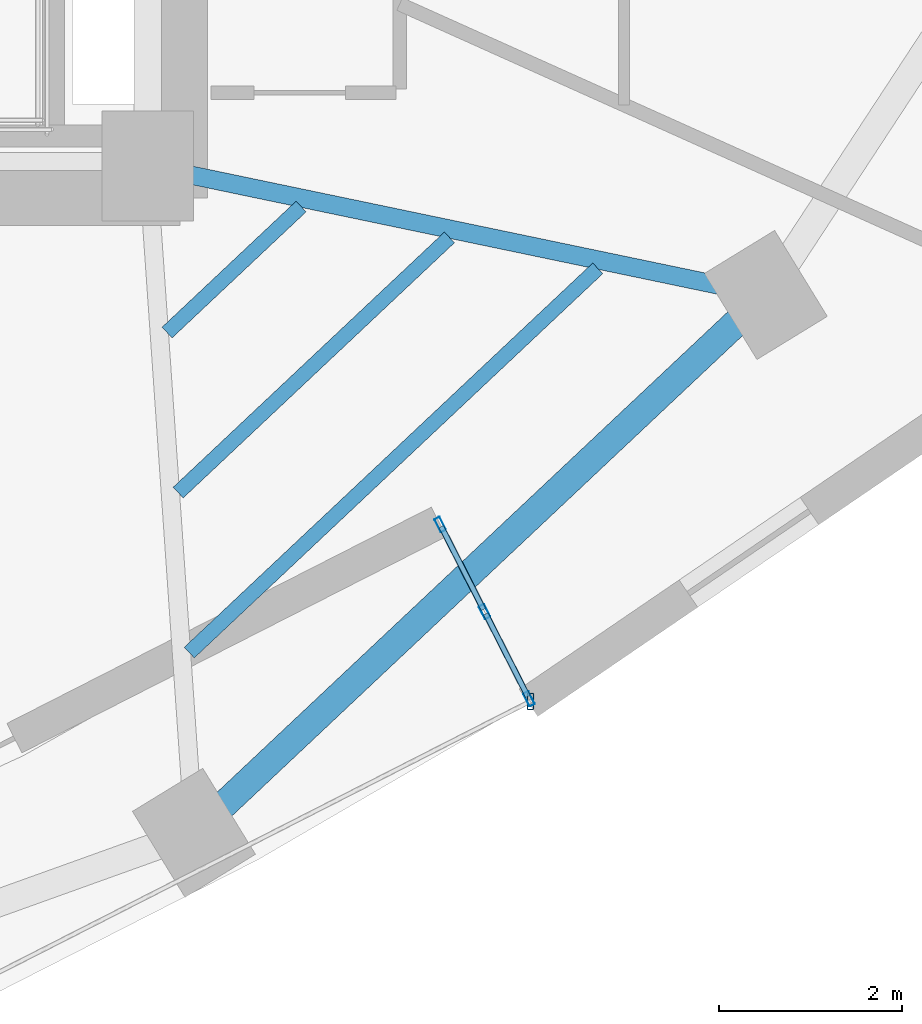
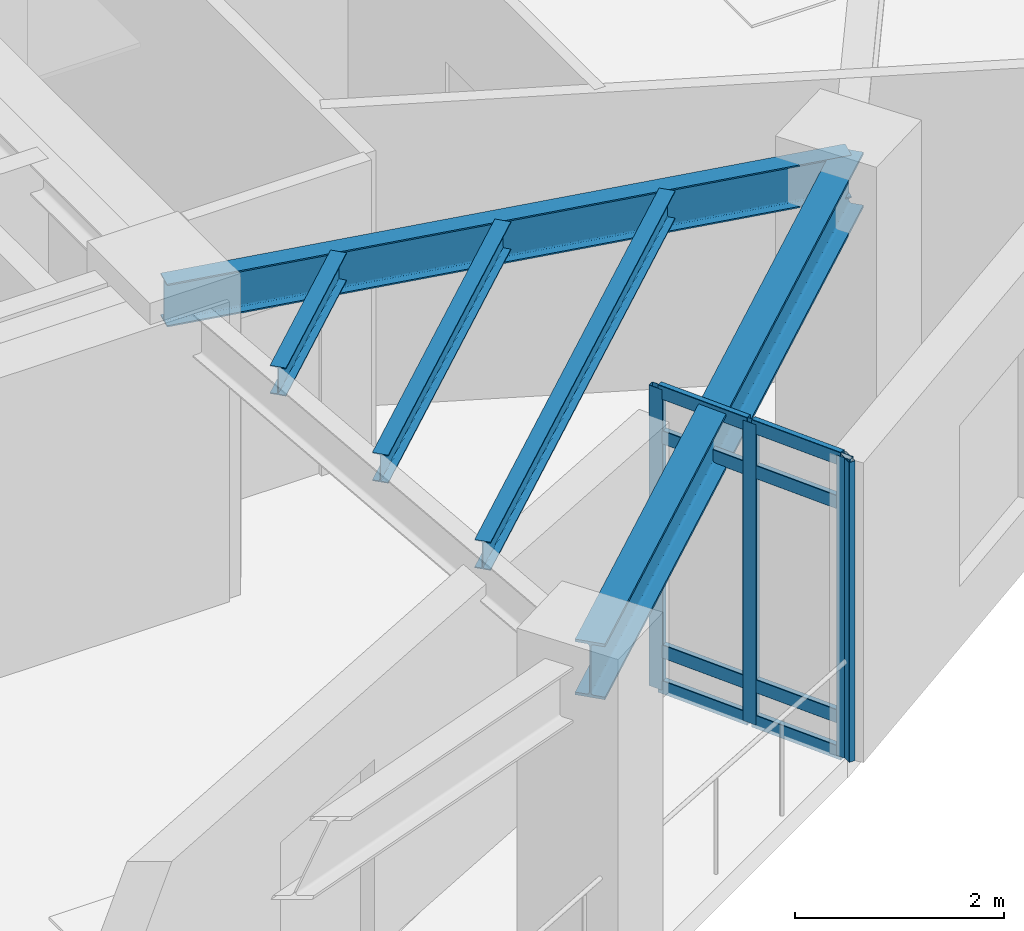
# One storey, part 3 of 11: 12 members, 5 beams, 1 element without a shape of its own.
"""IFC4 building model written with IfcOpenShell, lengths in metres."""

from ifc_helpers import new_model, si_unit, direction, frame, origin, origin_2d, place, context, subcontext, project, spatial, hollow_rectangle, i_section, extrude, material, layer, layer_set, material_profile, profile_set, type_object, element, aggregate, save


model = new_model("IFC4")

# Units and contexts
model_context = context("Model", 3, precision=1e-05, world=origin(), true_north=direction((0.0, 1.0)))
body_context = subcontext(model_context, "Body", "Model", "MODEL_VIEW")
ifc_project = project(units=[si_unit("LENGTHUNIT", "METRE"), si_unit("AREAUNIT", "SQUARE_METRE"), si_unit("VOLUMEUNIT", "CUBIC_METRE"), si_unit("PLANEANGLEUNIT", "RADIAN"), si_unit("MASSUNIT", "GRAM", prefix="KILO")], contexts=[model_context])

# Site, building, storey
site_placement = place(None, origin())
site = spatial("IfcSite", under=ifc_project, at=site_placement, CompositionType="ELEMENT")
building_placement = place(site_placement, origin())
building = spatial("IfcBuilding", under=site, at=building_placement, Name="Ndelora Gate Hotel", CompositionType="ELEMENT")
storey_placement = place(building_placement, frame((0.0, 0.0, 108.5)))
storey = spatial("IfcBuildingStorey", under=building, at=storey_placement, Name="L26", CompositionType="ELEMENT", Elevation=108.5)

# Beams
ifc_material_1 = material(Name="Steel S355", Category="steel")
ifc_material_profile_1 = material_profile(ifc_material_1, i_section(OverallWidth=0.159912109375, OverallDepth=0.330078125, WebThickness=0.007568359375, FlangeThickness=0.011474609375, FilletRadius=0.01806640625, at=origin_2d()), Name="IPE 330")
ifc_profile_set_1 = profile_set([ifc_material_profile_1], Name="Steel S355")
beam_type_1 = type_object("IfcBeamType", Name="BM-JST-330", PredefinedType="JOIST", material=ifc_profile_set_1)
beam_1_placement = place(storey_placement, frame((8.211181640625, -8.4169921875, 3.3349609375), z_axis=(0.728414088998, 0.685137150466, 0.0), x_axis=(-0.685137150466, 0.728414088998, 0.0)))
element("IfcBeam", 1, at=beam_1_placement, inside=storey, type_object=beam_type_1, Name="L26 Secondary Composite Floor Joist IN-7", PredefinedType="JOIST", context=body_context, shape_type="SweptSolid", body=[
    extrude(i_section(OverallWidth=0.159912109375, OverallDepth=0.330078125, WebThickness=0.007568359375, FlangeThickness=0.011474609375, FilletRadius=0.01806640625, at=origin_2d()), origin(), (0.0, 0.0, 1.0), 2.00830078125),
])
beam_2_placement = place(storey_placement, frame((8.33251953125, -10.163818359375, 3.3349609375), z_axis=(0.728369245526, 0.685184823366, 0.0), x_axis=(-0.685184823366, 0.728369245526, 0.0)))
element("IfcBeam", 2, at=beam_2_placement, inside=storey, type_object=beam_type_1, Name="L26 Secondary Composite Floor Joist MID-7", PredefinedType="JOIST", context=body_context, shape_type="SweptSolid", body=[
    extrude(i_section(OverallWidth=0.159912109375, OverallDepth=0.330078125, WebThickness=0.007568359375, FlangeThickness=0.011474609375, FilletRadius=0.01806640625, at=origin_2d()), origin(), (0.0, 0.0, 1.0), 4.06494140625),
])
beam_3_placement = place(storey_placement, frame((8.45361328125, -11.910400390625, 3.3349609375), z_axis=(0.728393161111, 0.68515939959, 0.0), x_axis=(-0.68515939959, 0.728393161111, 0.0)))
element("IfcBeam", 3, at=beam_3_placement, inside=storey, type_object=beam_type_1, Name="L26 Secondary Composite Floor Joist OUT-7", PredefinedType="JOIST", context=body_context, shape_type="SweptSolid", body=[
    extrude(i_section(OverallWidth=0.159912109375, OverallDepth=0.330078125, WebThickness=0.007568359375, FlangeThickness=0.011474609375, FilletRadius=0.01806640625, at=origin_2d()), origin(), (0.0, 0.0, 1.0), 6.121337890625),
])
ifc_material_profile_2 = material_profile(ifc_material_1, i_section(OverallWidth=0.199951171875, OverallDepth=0.5, WebThickness=0.01025390625, FlangeThickness=0.01611328125, FilletRadius=0.02099609375, at=origin_2d()), Name="IPE 500")
ifc_profile_set_2 = profile_set([ifc_material_profile_2], Name="Steel S355")
beam_type_2 = type_object("IfcBeamType", Name="BM-RAD-500", PredefinedType="BEAM", material=ifc_profile_set_2)
beam_4_placement = place(storey_placement, frame((8.0, -6.60009765625, 3.25), z_axis=(0.978952706778, -0.204087231083, 0.0), x_axis=(0.204087231083, 0.978952706778, 0.0)))
element("IfcBeam", 4, at=beam_4_placement, inside=storey, type_object=beam_type_2, Name="L26 Radial Floor Girder 8", PredefinedType="BEAM", context=body_context, shape_type="SweptSolid", body=[
    extrude(i_section(OverallWidth=0.199951171875, OverallDepth=0.5, WebThickness=0.01025390625, FlangeThickness=0.01611328125, FilletRadius=0.02099609375, at=origin_2d()), origin(), (0.0, 0.0, 1.0), 6.8916015625),
])
ifc_material_profile_3 = material_profile(ifc_material_1, i_section(OverallWidth=0.300048828125, OverallDepth=0.64990234375, WebThickness=0.01611328125, FlangeThickness=0.031005859375, FilletRadius=0.027099609375, at=origin_2d()), Name="HEB 650")
ifc_profile_set_3 = profile_set([ifc_material_profile_3], Name="Steel S355")
beam_type_3 = type_object("IfcBeamType", Name="BM-RING-650", PredefinedType="SPANDREL", material=ifc_profile_set_3)
beam_5_placement = place(storey_placement, frame((8.50439453125, -13.878173828125, 3.175048828125), z_axis=(0.728399016952, 0.68515317419, 0.0), x_axis=(-0.68515317419, 0.728399016952, 0.0)))
element("IfcBeam", 5, at=beam_5_placement, inside=storey, type_object=beam_type_3, Name="L26 Perimeter Spandrel Girder 7", PredefinedType="SPANDREL", context=body_context, shape_type="SweptSolid", body=[
    extrude(i_section(OverallWidth=0.300048828125, OverallDepth=0.64990234375, WebThickness=0.01611328125, FlangeThickness=0.031005859375, FilletRadius=0.027099609375, at=origin_2d()), origin(), (0.0, 0.0, 1.0), 8.56982421875),
])

# Curtain wall, members
ifc_material_2 = material(Name="Bronze Anodised Unitised Aluminium and Low-E Glass", Category="aluminium")
ifc_layer = layer(ifc_material_2, 0.199951171875)
ifc_layer_set = layer_set([ifc_layer], Name="Bronze Anodised Unitised Aluminium and Low-E Glass")
curtain_wall_type = type_object("IfcCurtainWallType", Name="CW-SYS-3", PredefinedType="NOTDEFINED", material=ifc_layer_set)
curtain_wall_placement = place(storey_placement, origin())
curtain_wall = element("IfcCurtainWall", 6, at=curtain_wall_placement, inside=storey, type_object=curtain_wall_type, Name="L26 Sky-Garden Loggia Side Curtain Wall CW3-2", PredefinedType="NOTDEFINED")
ifc_material_3 = material(Name="Bronze Anodised Aluminium 6063-T6", Category="aluminium")
ifc_material_profile_4 = material_profile(ifc_material_3, hollow_rectangle(XDim=0.06494140625, YDim=0.159912109375, WallThickness=0.00390625, InnerFilletRadius=0.00390625, OuterFilletRadius=0.008056640625, at=origin_2d()), Name="ALU 160x65x4")
ifc_profile_set_4 = profile_set([ifc_material_profile_4], Name="Bronze Anodised Aluminium 6063-T6")
member_type_1 = type_object("IfcMemberType", Name="MB-CW-MUL150", PredefinedType="MULLION", material=ifc_profile_set_4)
member_1_placement = place(storey_placement, frame((12.161865234375, -12.4150390625, -0.00390625), z_axis=(0.0, 0.0, 1.0), x_axis=(-0.891001336507, -0.454000680995, 0.0)))
member_1 = element("IfcMember", 7, at=member_1_placement, type_object=member_type_1, Name="CW3 mullion 1", PredefinedType="MULLION", context=body_context, shape_type="SweptSolid", body=[
    extrude(hollow_rectangle(XDim=0.06494140625, YDim=0.159912109375, WallThickness=0.00390625, InnerFilletRadius=0.00390625, OuterFilletRadius=0.008056640625, at=origin_2d()), origin(), (0.0, 0.0, 1.0), 3.5078125),
])
member_2_placement = place(storey_placement, frame((11.67724609375, -11.4638671875, -0.00390625), z_axis=(0.0, 0.0, 1.0), x_axis=(-0.891001336507, -0.454000680995, 0.0)))
member_2 = element("IfcMember", 8, at=member_2_placement, type_object=member_type_1, Name="CW3 mullion 2", PredefinedType="MULLION", context=body_context, shape_type="SweptSolid", body=[
    extrude(hollow_rectangle(XDim=0.06494140625, YDim=0.159912109375, WallThickness=0.00390625, InnerFilletRadius=0.00390625, OuterFilletRadius=0.008056640625, at=origin_2d()), origin(), (0.0, 0.0, 1.0), 3.5078125),
])
member_3_placement = place(storey_placement, frame((11.192626953125, -10.5126953125, -0.00390625), z_axis=(0.0, 0.0, 1.0), x_axis=(-0.891001336507, -0.454000680995, 0.0)))
member_3 = element("IfcMember", 9, at=member_3_placement, type_object=member_type_1, Name="CW3 mullion 3", PredefinedType="MULLION", context=body_context, shape_type="SweptSolid", body=[
    extrude(hollow_rectangle(XDim=0.06494140625, YDim=0.159912109375, WallThickness=0.00390625, InnerFilletRadius=0.00390625, OuterFilletRadius=0.008056640625, at=origin_2d()), origin(), (0.0, 0.0, 1.0), 3.5078125),
])
ifc_material_profile_5 = material_profile(ifc_material_3, hollow_rectangle(XDim=0.070068359375, YDim=0.179931640625, WallThickness=0.0048828125, InnerFilletRadius=0.0048828125, OuterFilletRadius=0.010009765625, at=origin_2d()), Name="ALU 180x70x5")
ifc_profile_set_5 = profile_set([ifc_material_profile_5], Name="Bronze Anodised Aluminium 6063-T6")
member_type_2 = type_object("IfcMemberType", Name="MB-CW-MUL180", PredefinedType="MULLION", material=ifc_profile_set_5)
member_4_placement = place(storey_placement, frame((12.176513671875, -12.44384765625, 0.0), z_axis=(0.0, 0.0, 1.0), x_axis=(1.0, 0.0, 0.0)))
member_4 = element("IfcMember", 10, at=member_4_placement, type_object=member_type_2, Name="L26 Sky-Garden Loggia Corner Mullion Post 2", PredefinedType="MULLION", context=body_context, shape_type="SweptSolid", body=[
    extrude(hollow_rectangle(XDim=0.070068359375, YDim=0.179931640625, WallThickness=0.0048828125, InnerFilletRadius=0.0048828125, OuterFilletRadius=0.010009765625, at=origin_2d()), origin(), (0.0, 0.0, 1.0), 3.5),
])
ifc_material_profile_6 = material_profile(ifc_material_3, hollow_rectangle(XDim=0.06494140625, YDim=0.159912109375, WallThickness=0.00390625, InnerFilletRadius=0.00390625, OuterFilletRadius=0.008056640625, at=origin_2d()), Name="ALU 160x65x4")
ifc_profile_set_6 = profile_set([ifc_material_profile_6], Name="Bronze Anodised Aluminium 6063-T6")
member_type_3 = type_object("IfcMemberType", Name="MB-CW-TRN150", PredefinedType="USERDEFINED", material=ifc_profile_set_6)
member_5_placement = place(storey_placement, frame((12.14990234375, -12.391357421875, 0.032470703125), z_axis=(-0.454033910437, 0.890984404001, 0.0), x_axis=(-0.890984404001, -0.454033910437, 0.0)))
member_5 = element("IfcMember", 11, at=member_5_placement, type_object=member_type_3, Name="CW3 transom 1.1", ObjectType="TRANSOM", PredefinedType="USERDEFINED", context=body_context, shape_type="SweptSolid", body=[
    extrude(hollow_rectangle(XDim=0.06494140625, YDim=0.159912109375, WallThickness=0.00390625, InnerFilletRadius=0.00390625, OuterFilletRadius=0.008056640625, at=origin_2d()), origin(), (0.0, 0.0, 1.0), 1.0146484375),
])
member_6_placement = place(storey_placement, frame((12.14990234375, -12.391357421875, 0.449951171875), z_axis=(-0.454033910437, 0.890984404001, 0.0), x_axis=(-0.890984404001, -0.454033910437, 0.0)))
member_6 = element("IfcMember", 12, at=member_6_placement, type_object=member_type_3, Name="CW3 transom 1.2", ObjectType="TRANSOM", PredefinedType="USERDEFINED", context=body_context, shape_type="SweptSolid", body=[
    extrude(hollow_rectangle(XDim=0.06494140625, YDim=0.159912109375, WallThickness=0.00390625, InnerFilletRadius=0.00390625, OuterFilletRadius=0.008056640625, at=origin_2d()), origin(), (0.0, 0.0, 1.0), 1.0146484375),
])
member_7_placement = place(storey_placement, frame((12.14990234375, -12.391357421875, 2.949951171875), z_axis=(-0.454033910437, 0.890984404001, 0.0), x_axis=(-0.890984404001, -0.454033910437, 0.0)))
member_7 = element("IfcMember", 13, at=member_7_placement, type_object=member_type_3, Name="CW3 transom 1.3", ObjectType="TRANSOM", PredefinedType="USERDEFINED", context=body_context, shape_type="SweptSolid", body=[
    extrude(hollow_rectangle(XDim=0.06494140625, YDim=0.159912109375, WallThickness=0.00390625, InnerFilletRadius=0.00390625, OuterFilletRadius=0.008056640625, at=origin_2d()), origin(), (0.0, 0.0, 1.0), 1.0146484375),
])
member_8_placement = place(storey_placement, frame((12.14990234375, -12.391357421875, 3.467529296875), z_axis=(-0.454033910437, 0.890984404001, 0.0), x_axis=(-0.890984404001, -0.454033910437, 0.0)))
member_8 = element("IfcMember", 14, at=member_8_placement, type_object=member_type_3, Name="CW3 transom 1.4", ObjectType="TRANSOM", PredefinedType="USERDEFINED", context=body_context, shape_type="SweptSolid", body=[
    extrude(hollow_rectangle(XDim=0.06494140625, YDim=0.159912109375, WallThickness=0.00390625, InnerFilletRadius=0.00390625, OuterFilletRadius=0.008056640625, at=origin_2d()), origin(), (0.0, 0.0, 1.0), 1.0146484375),
])
member_9_placement = place(storey_placement, frame((11.665283203125, -11.440185546875, 0.032470703125), z_axis=(-0.454131264886, 0.890934786756, 0.0), x_axis=(-0.890934786756, -0.454131264886, 0.0)))
member_9 = element("IfcMember", 15, at=member_9_placement, type_object=member_type_3, Name="CW3 transom 2.1", ObjectType="TRANSOM", PredefinedType="USERDEFINED", context=body_context, shape_type="SweptSolid", body=[
    extrude(hollow_rectangle(XDim=0.06494140625, YDim=0.159912109375, WallThickness=0.00390625, InnerFilletRadius=0.00390625, OuterFilletRadius=0.008056640625, at=origin_2d()), origin(), (0.0, 0.0, 1.0), 1.014404296875),
])
member_10_placement = place(storey_placement, frame((11.665283203125, -11.440185546875, 0.449951171875), z_axis=(-0.454131264886, 0.890934786756, 0.0), x_axis=(-0.890934786756, -0.454131264886, 0.0)))
member_10 = element("IfcMember", 16, at=member_10_placement, type_object=member_type_3, Name="CW3 transom 2.2", ObjectType="TRANSOM", PredefinedType="USERDEFINED", context=body_context, shape_type="SweptSolid", body=[
    extrude(hollow_rectangle(XDim=0.06494140625, YDim=0.159912109375, WallThickness=0.00390625, InnerFilletRadius=0.00390625, OuterFilletRadius=0.008056640625, at=origin_2d()), origin(), (0.0, 0.0, 1.0), 1.014404296875),
])
member_11_placement = place(storey_placement, frame((11.665283203125, -11.440185546875, 2.949951171875), z_axis=(-0.454131264886, 0.890934786756, 0.0), x_axis=(-0.890934786756, -0.454131264886, 0.0)))
member_11 = element("IfcMember", 17, at=member_11_placement, type_object=member_type_3, Name="CW3 transom 2.3", ObjectType="TRANSOM", PredefinedType="USERDEFINED", context=body_context, shape_type="SweptSolid", body=[
    extrude(hollow_rectangle(XDim=0.06494140625, YDim=0.159912109375, WallThickness=0.00390625, InnerFilletRadius=0.00390625, OuterFilletRadius=0.008056640625, at=origin_2d()), origin(), (0.0, 0.0, 1.0), 1.014404296875),
])
member_12_placement = place(storey_placement, frame((11.665283203125, -11.440185546875, 3.467529296875), z_axis=(-0.454131264886, 0.890934786756, 0.0), x_axis=(-0.890934786756, -0.454131264886, 0.0)))
member_12 = element("IfcMember", 18, at=member_12_placement, type_object=member_type_3, Name="CW3 transom 2.4", ObjectType="TRANSOM", PredefinedType="USERDEFINED", context=body_context, shape_type="SweptSolid", body=[
    extrude(hollow_rectangle(XDim=0.06494140625, YDim=0.159912109375, WallThickness=0.00390625, InnerFilletRadius=0.00390625, OuterFilletRadius=0.008056640625, at=origin_2d()), origin(), (0.0, 0.0, 1.0), 1.014404296875),
])
aggregate(curtain_wall, [member_1, member_2, member_3, member_5, member_6, member_7, member_8, member_9, member_10, member_11, member_12, member_4])

save(model, "model.ifc")
